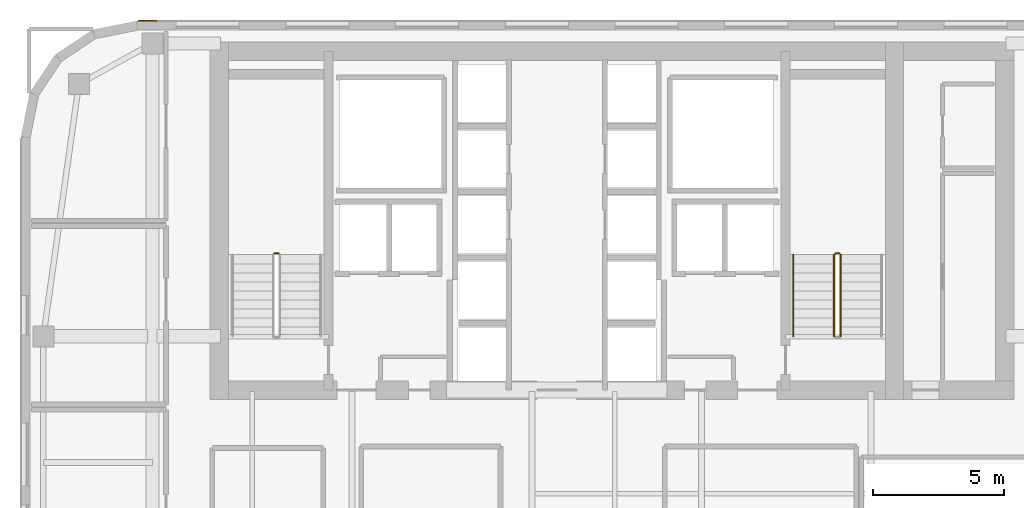
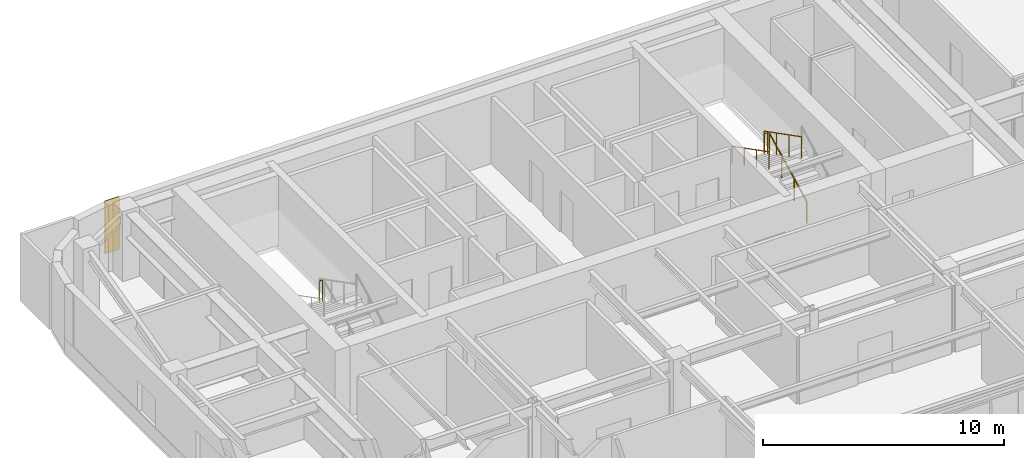
# One storey, part 25 of 26: 5 railings, 1 covering.
"""IFC4 building model written with IfcOpenShell, lengths in metres."""

from ifc_helpers import new_model, si_unit, direction, frame, origin, origin_2d, place, context, subcontext, project, spatial, polyline, circle, outline, extrude, material, layer, layer_set, type_object, element, save


model = new_model("IFC4")

# Units and contexts
model_context = context("Model", 3, precision=1e-05, world=origin(), true_north=direction((0.0, 1.0)))
body_context = subcontext(model_context, "Body", "Model", "MODEL_VIEW")
ifc_project = project(units=[si_unit("LENGTHUNIT", "METRE"), si_unit("AREAUNIT", "SQUARE_METRE"), si_unit("VOLUMEUNIT", "CUBIC_METRE"), si_unit("PLANEANGLEUNIT", "RADIAN"), si_unit("MASSUNIT", "GRAM", prefix="KILO")], contexts=[model_context])

# Site, building, storey
site_placement = place(None, origin())
site = spatial("IfcSite", under=ifc_project, at=site_placement, CompositionType="ELEMENT")
building_placement = place(site_placement, origin())
building = spatial("IfcBuilding", under=site, at=building_placement, Name="Tolvann Quenvar Hotel", CompositionType="ELEMENT")
storey_placement = place(building_placement, frame((0.0, 0.0, 168.35009765625)))
storey = spatial("IfcBuildingStorey", under=building, at=storey_placement, Name="L44", CompositionType="ELEMENT", Elevation=168.35009765625)

# Covering
ifc_material_1 = material(Name="Kiln-fired red architectural face brick cladding", Category="masonry")
ifc_layer = layer(ifc_material_1, 0.0400390625)
ifc_layer_set = layer_set([ifc_layer], Name="Kiln-fired red architectural face brick cladding")
covering_type = type_object("IfcCoveringType", Name="COV_CLAD_BRICK_40", PredefinedType="CLADDING", material=ifc_layer_set)
covering_placement = place(storey_placement, frame((0.0, 0.0, 0.699951171875)))
element("IfcCovering", 1, at=covering_placement, inside=storey, type_object=covering_type, Name="Brick Pier Cladding (L44-E18-P2)", PredefinedType="CLADDING", context=body_context, shape_type="SweptSolid", body=[
    extrude(outline(polyline([(7.76708984375, 46.0), (7.067138671875, 46.0), (7.067138671875, 46.0400390625), (7.76708984375, 46.0400390625), (7.76708984375, 46.0)])), origin(), (0.0, 0.0, 1.0), 2.669921875),
])

# Railings
ifc_material_2 = material(Name="Brushed 316 stainless steel balustrade and handrail", Category="steel")
railing_type_1 = type_object("IfcRailingType", Name="GUARDRAIL", PredefinedType="GUARDRAIL", material=ifc_material_2)
railing_1_placement = place(storey_placement, frame((12.39990234375, 37.155029296875, 1.77490234375)))
element("IfcRailing", 2, at=railing_1_placement, inside=storey, type_object=railing_type_1, Name="L44 ST-C1 stair guard 2", PredefinedType="GUARDRAIL", context=body_context, shape_type="SweptSolid", body=[
    extrude(circle(Radius=0.02392578125, at=origin_2d()), frame((0.0, 0.0, 1.09619140625), z_axis=(-1.0, 0.0, 0.0), x_axis=(0.0, -1.0, 0.0)), (0.0, 0.0, 1.0), 0.14990234375),
    extrude(circle(Radius=0.02099609375, at=origin_2d()), origin(), (0.0, 0.0, 1.0), 1.072021484375),
    extrude(circle(Radius=0.02099609375, at=origin_2d()), frame((-0.14990234375, 0.0, 0.0)), (0.0, 0.0, 1.0), 1.072021484375),
])
railing_2_placement = place(storey_placement, frame((33.800048828125, 34.0, 0.177490234375)))
element("IfcRailing", 3, at=railing_2_placement, inside=storey, type_object=railing_type_1, Name="L44 ST-C2 stair guard 1", PredefinedType="GUARDRAIL", context=body_context, shape_type="SweptSolid", body=[
    extrude(circle(Radius=0.02392578125, at=origin_2d()), frame((0.0, 0.0, 1.09619140625), z_axis=(0.0, 0.889221982265, 0.45747597342), x_axis=(-1.0, 0.0, 0.0)), (0.0, 0.0, 1.0), 3.49169921875),
    extrude(circle(Radius=0.02099609375, at=origin_2d()), origin(), (0.0, 0.0, 1.0), 1.072021484375),
    extrude(circle(Radius=0.02099609375, at=origin_2d()), frame((0.0, 1.034912109375, 0.532470703125)), (0.0, 0.0, 1.0), 1.072021484375),
    extrude(circle(Radius=0.02099609375, at=origin_2d()), frame((0.0, 2.070068359375, 1.06494140625)), (0.0, 0.0, 1.0), 1.072021484375),
    extrude(circle(Radius=0.02099609375, at=origin_2d()), frame((0.0, 3.10498046875, 1.597412109375)), (0.0, 0.0, 1.0), 1.072021484375),
])
railing_3_placement = place(storey_placement, frame((33.75, 37.155029296875, 1.77490234375)))
element("IfcRailing", 4, at=railing_3_placement, inside=storey, type_object=railing_type_1, Name="L44 ST-C2 stair guard 2", PredefinedType="GUARDRAIL", context=body_context, shape_type="SweptSolid", body=[
    extrude(circle(Radius=0.02392578125, at=origin_2d()), frame((0.0, 0.0, 1.09619140625), z_axis=(-1.0, 0.0, 0.0), x_axis=(0.0, -1.0, 0.0)), (0.0, 0.0, 1.0), 0.14990234375),
    extrude(circle(Radius=0.02099609375, at=origin_2d()), origin(), (0.0, 0.0, 1.0), 1.072021484375),
    extrude(circle(Radius=0.02099609375, at=origin_2d()), frame((-0.14990234375, 0.0, 0.0)), (0.0, 0.0, 1.0), 1.072021484375),
])
railing_4_placement = place(storey_placement, frame((33.550048828125, 37.10498046875, 1.952392578125)))
element("IfcRailing", 5, at=railing_4_placement, inside=storey, type_object=railing_type_1, Name="L44 ST-C2 stair guard 3", PredefinedType="GUARDRAIL", context=body_context, shape_type="SweptSolid", body=[
    extrude(circle(Radius=0.02392578125, at=origin_2d()), frame((0.0, 0.0, 1.09619140625), z_axis=(0.0, -0.889221982265, 0.45747597342), x_axis=(1.0, 0.0, 0.0)), (0.0, 0.0, 1.0), 3.49169921875),
    extrude(circle(Radius=0.02099609375, at=origin_2d()), origin(), (0.0, 0.0, 1.0), 1.072021484375),
    extrude(circle(Radius=0.02099609375, at=origin_2d()), frame((0.0, -1.034912109375, 0.532470703125)), (0.0, 0.0, 1.0), 1.072021484375),
    extrude(circle(Radius=0.02099609375, at=origin_2d()), frame((0.0, -2.070068359375, 1.06494140625)), (0.0, 0.0, 1.0), 1.072021484375),
    extrude(circle(Radius=0.02099609375, at=origin_2d()), frame((0.0, -3.10498046875, 1.597412109375)), (0.0, 0.0, 1.0), 1.072021484375),
])
railing_type_2 = type_object("IfcRailingType", Name="HANDRAIL", PredefinedType="HANDRAIL", material=ifc_material_2)
railing_5_placement = place(storey_placement, frame((32.0, 37.10498046875, 1.952392578125)))
element("IfcRailing", 6, at=railing_5_placement, inside=storey, type_object=railing_type_2, Name="L44 ST-C2 stair handrail 2", PredefinedType="HANDRAIL", context=body_context, shape_type="SweptSolid", body=[
    extrude(circle(Radius=0.02392578125, at=origin_2d()), frame((0.0, 0.0, 0.8759765625), z_axis=(0.0, -0.889221982265, 0.45747597342), x_axis=(1.0, 0.0, 0.0)), (0.0, 0.0, 1.0), 3.49169921875),
    extrude(circle(Radius=0.02099609375, at=origin_2d()), origin(), (0.0, 0.0, 1.0), 0.851806640625),
    extrude(circle(Radius=0.02099609375, at=origin_2d()), frame((0.0, -1.034912109375, 0.532470703125)), (0.0, 0.0, 1.0), 0.851806640625),
    extrude(circle(Radius=0.02099609375, at=origin_2d()), frame((0.0, -2.070068359375, 1.06494140625)), (0.0, 0.0, 1.0), 0.851806640625),
    extrude(circle(Radius=0.02099609375, at=origin_2d()), frame((0.0, -3.10498046875, 1.597412109375)), (0.0, 0.0, 1.0), 0.851806640625),
])

save(model, "model.ifc")
